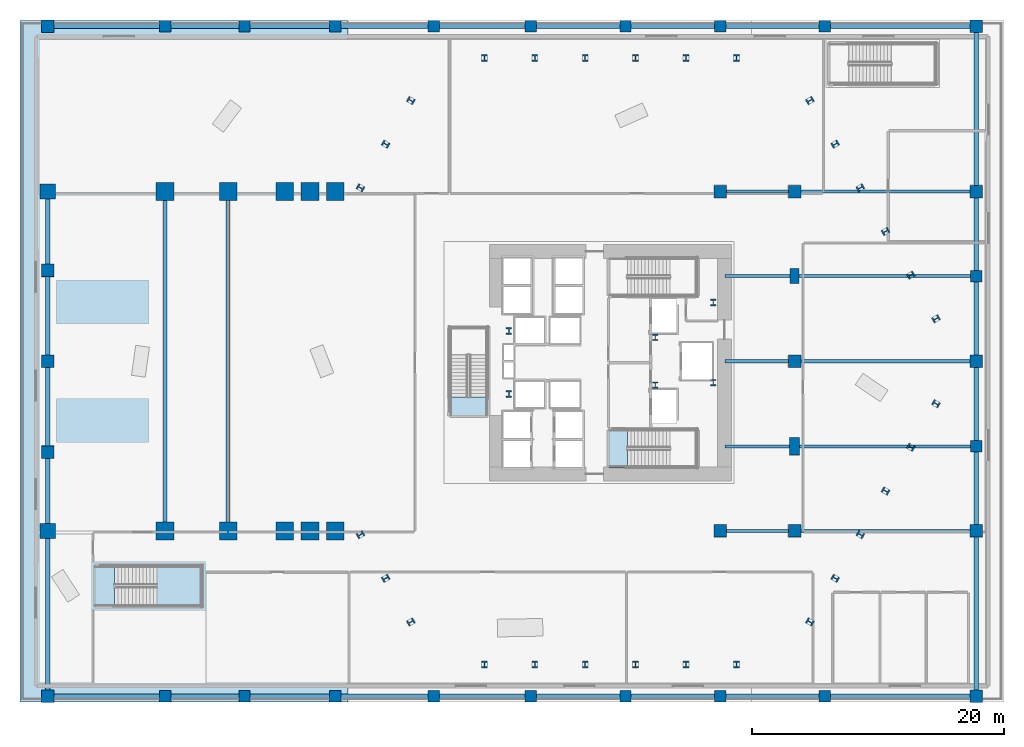
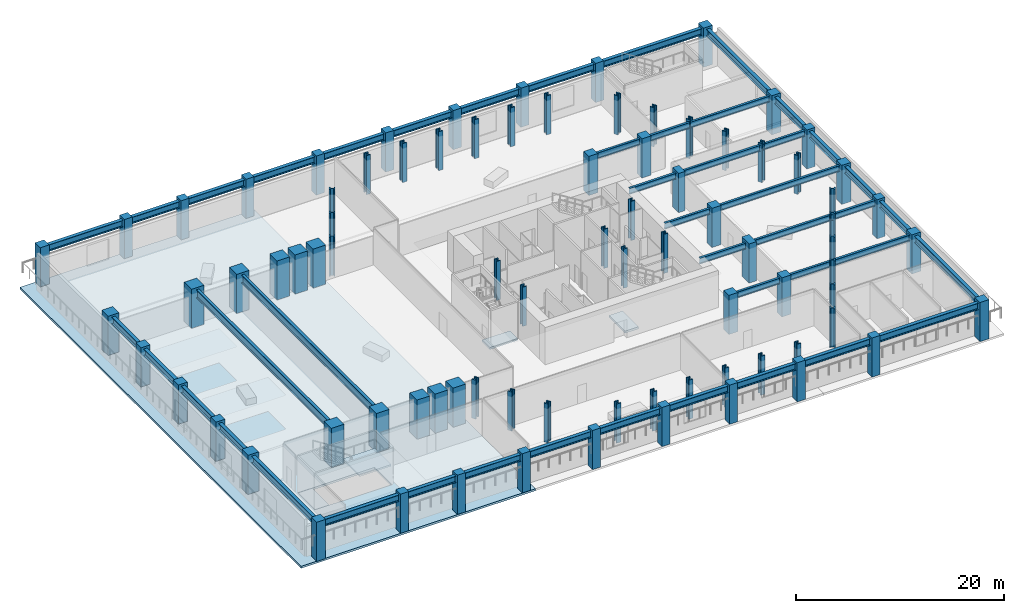
# One storey, part 1 of 18: 83 columns, 20 beams, 5 slabs, 1 element without a shape of its own.
"""IFC4 building model written with IfcOpenShell, lengths in metres."""

from ifc_helpers import new_model, si_unit, direction, frame, origin, origin_2d, place, context, subcontext, project, spatial, polyline, rectangle, i_section, outline, extrude, material, layer, layer_set, material_profile, profile_set, type_object, element, aggregate, save


model = new_model("IFC4")

# Units and contexts
model_context = context("Model", 3, precision=1e-05, world=origin(), true_north=direction((0.0, 1.0)))
body_context = subcontext(model_context, "Body", "Model", "MODEL_VIEW")
ifc_project = project(units=[si_unit("LENGTHUNIT", "METRE"), si_unit("AREAUNIT", "SQUARE_METRE"), si_unit("VOLUMEUNIT", "CUBIC_METRE"), si_unit("PLANEANGLEUNIT", "RADIAN"), si_unit("MASSUNIT", "GRAM", prefix="KILO")], contexts=[model_context])

# Site, building, storey
site_placement = place(None, origin())
site = spatial("IfcSite", under=ifc_project, at=site_placement, CompositionType="ELEMENT")
building_placement = place(site_placement, origin())
building = spatial("IfcBuilding", under=site, at=building_placement, Name="Valkerne Bourse Tower", CompositionType="ELEMENT")
storey_placement = place(building_placement, frame((0.0, 0.0, 10.199951171875)))
storey = spatial("IfcBuildingStorey", under=building, at=storey_placement, Name="L02", CompositionType="ELEMENT", Elevation=10.199951171875)

# Columns
ifc_material_1 = material(Name="Concrete C70/85", Category="concrete")
ifc_material_profile_1 = material_profile(ifc_material_1, rectangle(XDim=1.0, YDim=1.0, at=origin_2d()), Name="RC1000X1000")
ifc_profile_set_1 = profile_set([ifc_material_profile_1], Name="Concrete C70/85")
column_type_1 = type_object("IfcColumnType", Name="COL-RC1000X1000", PredefinedType="COLUMN", material=ifc_profile_set_1)
for number, where, z_axis, x_axis, name in (
    (1, (2.199951171875, 0.449951171875, 0.005126953125), (0.0, 0.0, 1.0), (1.0, 0.0, 0.0), "L02 Podium Column PW-1"),
    (2, (2.199951171875, 19.800048828125, 0.005126953125), (0.0, 0.0, 1.0), (1.0, 0.0, 0.0), "L02 Podium Column PW-3"),
    (3, (2.199951171875, 27.0, 0.005126953125), (0.0, 0.0, 1.0), (1.0, 0.0, 0.0), "L02 Podium Column PW-4"),
    (4, (2.199951171875, 34.199951171875, 0.005126953125), (0.0, 0.0, 1.0), (1.0, 0.0, 0.0), "L02 Podium Column PW-5"),
    (5, (2.199951171875, 53.550048828125, 0.005126953125), (0.0, 0.0, 1.0), (1.0, 0.0, 0.0), "L02 Podium Column PW-7"),
    (6, (75.800048828125, 0.449951171875, 0.005126953125), (0.0, 0.0, 1.0), (1.0, 0.0, 0.0), "L02 Podium Column PS-9"),
    (7, (75.800048828125, 53.550048828125, 0.005126953125), (0.0, 0.0, 1.0), (1.0, 0.0, 0.0), "L02 Podium Column PN-9"),
    (8, (75.800048828125, 13.550048828125, 0.005126953125), (0.0, 0.0, 1.0), (1.0, 0.0, 0.0), "L02 Podium Column PE-1"),
    (9, (75.800048828125, 27.0, 0.005126953125), (0.0, 0.0, 1.0), (1.0, 0.0, 0.0), "L02 Podium Column PE-3"),
    (10, (75.800048828125, 40.449951171875, 0.005126953125), (0.0, 0.0, 1.0), (1.0, 0.0, 0.0), "L02 Podium Column PE-5"),
    (11, (55.5, 13.550048828125, 0.005126953125), (0.0, 0.0, 1.0), (1.0, 0.0, 0.0), "L02 Podium Column PI-C1"),
    (12, (55.5, 40.449951171875, 0.005126953125), (0.0, 0.0, 1.0), (1.0, 0.0, 0.0), "L02 Podium Column PI-C2"),
    (13, (61.39990234375, 13.550048828125, 0.005126953125), (0.0, 0.0, 1.0), (1.0, 0.0, 0.0), "L02 Podium Column PI-E1"),
    (14, (61.39990234375, 27.0, 0.005126953125), (0.0, 0.0, 1.0), (1.0, 0.0, 0.0), "L02 Podium Column PI-E3"),
    (15, (61.39990234375, 40.449951171875, 0.005126953125), (0.0, 0.0, 1.0), (1.0, 0.0, 0.0), "L02 Podium Column PI-E5"),
):
    element("IfcColumn", number, at=place(storey_placement, frame(where, z_axis=z_axis, x_axis=x_axis)), inside=storey, type_object=column_type_1, Name=name, PredefinedType="COLUMN", context=body_context, shape_type="SweptSolid", body=[
        extrude(rectangle(XDim=1.0, YDim=1.0, at=origin_2d()), origin(), (0.0, 0.0, 1.0), 4.594970703125),
    ])
ifc_material_profile_2 = material_profile(ifc_material_1, rectangle(XDim=1.199951171875, YDim=1.199951171875, at=origin_2d()), Name="RC1200X1200")
ifc_profile_set_2 = profile_set([ifc_material_profile_2], Name="Concrete C70/85")
column_type_2 = type_object("IfcColumnType", Name="COL-RC1200X1200", PredefinedType="COLUMN", material=ifc_profile_set_2)
for number, where, z_axis, x_axis, name in (
    (16, (2.199951171875, 13.550048828125, 0.005126953125), (0.0, 0.0, 1.0), (1.0, 0.0, 0.0), "L02 Podium Column PW-2"),
    (17, (2.199951171875, 40.449951171875, 0.005126953125), (0.0, 0.0, 1.0), (1.0, 0.0, 0.0), "L02 Podium Column PW-6"),
):
    element("IfcColumn", number, at=place(storey_placement, frame(where, z_axis=z_axis, x_axis=x_axis)), inside=storey, type_object=column_type_2, Name=name, PredefinedType="COLUMN", context=body_context, shape_type="SweptSolid", body=[
        extrude(rectangle(XDim=1.199951171875, YDim=1.199951171875, at=origin_2d()), origin(), (0.0, 0.0, 1.0), 4.594970703125),
    ])
ifc_material_profile_3 = material_profile(ifc_material_1, rectangle(XDim=1.39990234375, YDim=1.39990234375, at=origin_2d()), Name="RC1400X1400")
ifc_profile_set_3 = profile_set([ifc_material_profile_3], Name="Concrete C70/85")
column_type_3 = type_object("IfcColumnType", Name="COL-RC1400X1400", PredefinedType="COLUMN", material=ifc_profile_set_3)
for number, where, z_axis, x_axis, name in (
    (18, (11.5, 13.550048828125, 0.005126953125), (0.0, 0.0, 1.0), (1.0, 0.0, 0.0), "L02 Podium Column MC-S1"),
    (19, (11.5, 40.449951171875, 0.005126953125), (0.0, 0.0, 1.0), (1.0, 0.0, 0.0), "L02 Podium Column MC-N1"),
    (20, (16.5, 13.550048828125, 0.005126953125), (0.0, 0.0, 1.0), (1.0, 0.0, 0.0), "L02 Podium Column MC-S2"),
    (21, (16.5, 40.449951171875, 0.005126953125), (0.0, 0.0, 1.0), (1.0, 0.0, 0.0), "L02 Podium Column MC-N2"),
    (22, (20.991943359375, 13.550048828125, 0.005126953125), (0.0, 0.0, 1.0), (1.0, 0.0, 0.0), "L02 Podium Column MCH-S1"),
    (23, (20.991943359375, 40.449951171875, 0.005126953125), (0.0, 0.0, 1.0), (1.0, 0.0, 0.0), "L02 Podium Column MCH-N1"),
    (24, (22.990966796875, 13.550048828125, 0.005126953125), (0.0, 0.0, 1.0), (1.0, 0.0, 0.0), "L02 Podium Column MCH-S2"),
    (25, (22.990966796875, 40.449951171875, 0.005126953125), (0.0, 0.0, 1.0), (1.0, 0.0, 0.0), "L02 Podium Column MCH-N2"),
    (26, (24.988037109375, 13.550048828125, 0.005126953125), (0.0, 0.0, 1.0), (1.0, 0.0, 0.0), "L02 Podium Column MCH-S3"),
    (27, (24.988037109375, 40.449951171875, 0.005126953125), (0.0, 0.0, 1.0), (1.0, 0.0, 0.0), "L02 Podium Column MCH-N3"),
):
    element("IfcColumn", number, at=place(storey_placement, frame(where, z_axis=z_axis, x_axis=x_axis)), inside=storey, type_object=column_type_3, Name=name, PredefinedType="COLUMN", context=body_context, shape_type="SweptSolid", body=[
        extrude(rectangle(XDim=1.39990234375, YDim=1.39990234375, at=origin_2d()), origin(), (0.0, 0.0, 1.0), 4.594970703125),
    ])
ifc_material_profile_4 = material_profile(ifc_material_1, rectangle(XDim=0.699951171875, YDim=1.199951171875, at=origin_2d()), Name="RC700X1200")
ifc_profile_set_4 = profile_set([ifc_material_profile_4], Name="Concrete C70/85")
column_type_4 = type_object("IfcColumnType", Name="COL-RC700X1200", PredefinedType="COLUMN", material=ifc_profile_set_4)
column_1_placement = place(storey_placement, frame((61.39990234375, 33.75, 0.005126953125), z_axis=(0.0, 0.0, 1.0), x_axis=(1.0, 0.0, 0.0)))
element("IfcColumn", 28, at=column_1_placement, inside=storey, type_object=column_type_4, Name="L02 Podium Column PI-E4", PredefinedType="COLUMN", context=body_context, shape_type="SweptSolid", body=[
    extrude(rectangle(XDim=0.699951171875, YDim=1.199951171875, at=origin_2d()), origin(), (0.0, 0.0, 1.0), 4.594970703125),
])
ifc_material_profile_5 = material_profile(ifc_material_1, rectangle(XDim=0.800048828125, YDim=1.39990234375, at=origin_2d()), Name="RC800X1400")
ifc_profile_set_5 = profile_set([ifc_material_profile_5], Name="Concrete C70/85")
column_type_5 = type_object("IfcColumnType", Name="COL-RC800X1400", PredefinedType="COLUMN", material=ifc_profile_set_5)
column_2_placement = place(storey_placement, frame((61.39990234375, 20.25, 0.005126953125), z_axis=(0.0, 0.0, 1.0), x_axis=(1.0, 0.0, 0.0)))
element("IfcColumn", 29, at=column_2_placement, inside=storey, type_object=column_type_5, Name="L02 Podium Column PI-E2", PredefinedType="COLUMN", context=body_context, shape_type="SweptSolid", body=[
    extrude(rectangle(XDim=0.800048828125, YDim=1.39990234375, at=origin_2d()), origin(), (0.0, 0.0, 1.0), 4.594970703125),
])
ifc_material_profile_6 = material_profile(ifc_material_1, rectangle(XDim=0.89990234375, YDim=0.89990234375, at=origin_2d()), Name="RC900X900")
ifc_profile_set_6 = profile_set([ifc_material_profile_6], Name="Concrete C70/85")
column_type_6 = type_object("IfcColumnType", Name="COL-RC900X900", PredefinedType="COLUMN", material=ifc_profile_set_6)
for number, where, z_axis, x_axis, name in (
    (30, (11.5, 0.449951171875, 0.005126953125), (0.0, 0.0, 1.0), (1.0, 0.0, 0.0), "L02 Podium Column PS-1"),
    (31, (17.800048828125, 0.449951171875, 0.005126953125), (0.0, 0.0, 1.0), (1.0, 0.0, 0.0), "L02 Podium Column PS-2"),
    (32, (25.0, 0.449951171875, 0.005126953125), (0.0, 0.0, 1.0), (1.0, 0.0, 0.0), "L02 Podium Column PS-3"),
    (33, (32.800048828125, 0.449951171875, 0.005126953125), (0.0, 0.0, 1.0), (1.0, 0.0, 0.0), "L02 Podium Column PS-4"),
    (34, (40.5, 0.449951171875, 0.005126953125), (0.0, 0.0, 1.0), (1.0, 0.0, 0.0), "L02 Podium Column PS-5"),
    (35, (48.0, 0.449951171875, 0.005126953125), (0.0, 0.0, 1.0), (1.0, 0.0, 0.0), "L02 Podium Column PS-6"),
    (36, (55.5, 0.449951171875, 0.005126953125), (0.0, 0.0, 1.0), (1.0, 0.0, 0.0), "L02 Podium Column PS-7"),
    (37, (63.800048828125, 0.449951171875, 0.005126953125), (0.0, 0.0, 1.0), (1.0, 0.0, 0.0), "L02 Podium Column PS-8"),
    (38, (11.5, 53.550048828125, 0.005126953125), (0.0, 0.0, 1.0), (1.0, 0.0, 0.0), "L02 Podium Column PN-1"),
    (39, (17.800048828125, 53.550048828125, 0.005126953125), (0.0, 0.0, 1.0), (1.0, 0.0, 0.0), "L02 Podium Column PN-2"),
    (40, (25.0, 53.550048828125, 0.005126953125), (0.0, 0.0, 1.0), (1.0, 0.0, 0.0), "L02 Podium Column PN-3"),
    (41, (32.800048828125, 53.550048828125, 0.005126953125), (0.0, 0.0, 1.0), (1.0, 0.0, 0.0), "L02 Podium Column PN-4"),
    (42, (40.5, 53.550048828125, 0.005126953125), (0.0, 0.0, 1.0), (1.0, 0.0, 0.0), "L02 Podium Column PN-5"),
    (43, (48.0, 53.550048828125, 0.005126953125), (0.0, 0.0, 1.0), (1.0, 0.0, 0.0), "L02 Podium Column PN-6"),
    (44, (55.5, 53.550048828125, 0.005126953125), (0.0, 0.0, 1.0), (1.0, 0.0, 0.0), "L02 Podium Column PN-7"),
    (45, (63.800048828125, 53.550048828125, 0.005126953125), (0.0, 0.0, 1.0), (1.0, 0.0, 0.0), "L02 Podium Column PN-8"),
    (46, (75.800048828125, 20.25, 0.005126953125), (0.0, 0.0, 1.0), (1.0, 0.0, 0.0), "L02 Podium Column PE-2"),
    (47, (75.800048828125, 33.75, 0.005126953125), (0.0, 0.0, 1.0), (1.0, 0.0, 0.0), "L02 Podium Column PE-4"),
):
    element("IfcColumn", number, at=place(storey_placement, frame(where, z_axis=z_axis, x_axis=x_axis)), inside=storey, type_object=column_type_6, Name=name, PredefinedType="COLUMN", context=body_context, shape_type="SweptSolid", body=[
        extrude(rectangle(XDim=0.89990234375, YDim=0.89990234375, at=origin_2d()), origin(), (0.0, 0.0, 1.0), 4.594970703125),
    ])
ifc_material_2 = material(Name="Steel ASTM A913 Grade 65", Category="steel")
ifc_material_profile_7 = material_profile(ifc_material_2, i_section(OverallWidth=0.44189453125, OverallDepth=0.531005859375, WebThickness=0.06591796875, FlangeThickness=0.105712890625, FilletRadius=0.030517578125, at=origin_2d()), Name="W14X605")
ifc_profile_set_7 = profile_set([ifc_material_profile_7], Name="Steel ASTM A913 Grade 65")
column_type_7 = type_object("IfcColumnType", Name="COL-W14X605", PredefinedType="COLUMN", material=ifc_profile_set_7)
for number, where, z_axis, x_axis, name in (
    (48, (38.75, 24.39990234375, 0.005126953125), (0.0, 0.0, 1.0), (1.0, 0.0, 0.0), "L02 Core Frame Column CC-SW"),
    (49, (38.75, 29.39990234375, 0.005126953125), (0.0, 0.0, 1.0), (1.0, 0.0, 0.0), "L02 Core Frame Column CC-NW"),
    (50, (50.35009765625, 25.10009765625, 0.005126953125), (0.0, 0.0, 1.0), (1.0, 0.0, 0.0), "L02 Core Frame Column CC-CE1"),
    (51, (50.35009765625, 28.89990234375, 0.005126953125), (0.0, 0.0, 1.0), (1.0, 0.0, 0.0), "L02 Core Frame Column CC-CE2"),
    (52, (54.949951171875, 25.300048828125, 0.005126953125), (0.0, 0.0, 1.0), (1.0, 0.0, 0.0), "L02 Core Frame Column CC-SE"),
    (53, (54.949951171875, 31.64990234375, 0.005126953125), (0.0, 0.0, 1.0), (1.0, 0.0, 0.0), "L02 Core Frame Column CC-NE"),
):
    element("IfcColumn", number, at=place(storey_placement, frame(where, z_axis=z_axis, x_axis=x_axis)), inside=storey, type_object=column_type_7, Name=name, PredefinedType="COLUMN", context=body_context, shape_type="SweptSolid", body=[
        extrude(i_section(OverallWidth=0.44189453125, OverallDepth=0.531005859375, WebThickness=0.06591796875, FlangeThickness=0.105712890625, FilletRadius=0.030517578125, at=origin_2d()), origin(), (0.0, 0.0, 1.0), 4.594970703125),
    ])
ifc_material_profile_8 = material_profile(ifc_material_2, i_section(OverallWidth=0.45458984375, OverallDepth=0.569091796875, WebThickness=0.077880859375, FlangeThickness=0.124755859375, FilletRadius=0.030517578125, at=origin_2d()), Name="W14X730")
ifc_profile_set_8 = profile_set([ifc_material_profile_8], Name="Steel ASTM A913 Grade 65")
column_type_8 = type_object("IfcColumnType", Name="COL-W14X730", PredefinedType="COLUMN", material=ifc_profile_set_8)
for number, where, z_axis, x_axis, name in (
    (54, (72.607421875, 30.364501953125, 0.005126953125), (0.0, 0.0, 1.0), (-0.5, 0.866025403784, 0.0), "L02 Tower Base Mega-Column Z1B-00"),
    (55, (70.609619140625, 33.8251953125, 0.005126953125), (0.0, 0.0, 1.0), (-0.5, 0.866025403784, 0.0), "L02 Tower Base Mega-Column Z1B-01"),
    (56, (68.611572265625, 37.285888671875, 0.005126953125), (0.0, 0.0, 1.0), (-0.5, 0.866025403784, 0.0), "L02 Tower Base Mega-Column Z1B-02"),
    (57, (66.613525390625, 40.746337890625, 0.005126953125), (0.0, 0.0, 1.0), (-0.5, 0.866025403784, 0.0), "L02 Tower Base Mega-Column Z1B-03"),
    (58, (64.615478515625, 44.20703125, 0.005126953125), (0.0, 0.0, 1.0), (-0.5, 0.866025403784, 0.0), "L02 Tower Base Mega-Column Z1B-04"),
    (59, (62.617431640625, 47.667724609375, 0.005126953125), (0.0, 0.0, 1.0), (-0.5, 0.866025403784, 0.0), "L02 Tower Base Mega-Column Z1B-05"),
    (60, (56.7900390625, 51.0322265625, 0.005126953125), (0.0, 0.0, 1.0), (-1.0, 0.0, 0.0), "L02 Tower Base Mega-Column Z1B-06"),
    (61, (52.7939453125, 51.0322265625, 0.005126953125), (0.0, 0.0, 1.0), (-1.0, 0.0, 0.0), "L02 Tower Base Mega-Column Z1B-07"),
    (62, (48.798095703125, 51.0322265625, 0.005126953125), (0.0, 0.0, 1.0), (-1.0, 0.0, 0.0), "L02 Tower Base Mega-Column Z1B-08"),
    (63, (44.802001953125, 51.0322265625, 0.005126953125), (0.0, 0.0, 1.0), (-1.0, 0.0, 0.0), "L02 Tower Base Mega-Column Z1B-09"),
    (64, (40.805908203125, 51.0322265625, 0.005126953125), (0.0, 0.0, 1.0), (-1.0, 0.0, 0.0), "L02 Tower Base Mega-Column Z1B-10"),
    (65, (36.81005859375, 51.0322265625, 0.005126953125), (0.0, 0.0, 1.0), (-1.0, 0.0, 0.0), "L02 Tower Base Mega-Column Z1B-11"),
    (66, (30.982421875, 47.667724609375, 0.005126953125), (0.0, 0.0, 1.0), (-0.5, -0.866025403784, 0.0), "L02 Tower Base Mega-Column Z1B-12"),
    (67, (28.984619140625, 44.20703125, 0.005126953125), (0.0, 0.0, 1.0), (-0.5, -0.866025403784, 0.0), "L02 Tower Base Mega-Column Z1B-13"),
    (68, (26.986572265625, 40.746337890625, 0.005126953125), (0.0, 0.0, 1.0), (-0.5, -0.866025403784, 0.0), "L02 Tower Base Mega-Column Z1B-14"),
    (69, (26.986572265625, 13.253662109375, 0.005126953125), (0.0, 0.0, 1.0), (0.5, -0.866025403784, 0.0), "L02 Tower Base Mega-Column Z1B-21"),
    (70, (36.81005859375, 2.9677734375, 0.005126953125), (0.0, 0.0, 1.0), (1.0, 0.0, 0.0), "L02 Tower Base Mega-Column Z1B-24"),
    (71, (40.805908203125, 2.9677734375, 0.005126953125), (0.0, 0.0, 1.0), (1.0, 0.0, 0.0), "L02 Tower Base Mega-Column Z1B-25"),
    (72, (44.802001953125, 2.9677734375, 0.005126953125), (0.0, 0.0, 1.0), (1.0, 0.0, 0.0), "L02 Tower Base Mega-Column Z1B-26"),
    (73, (48.798095703125, 2.9677734375, 0.005126953125), (0.0, 0.0, 1.0), (1.0, 0.0, 0.0), "L02 Tower Base Mega-Column Z1B-27"),
    (74, (52.7939453125, 2.9677734375, 0.005126953125), (0.0, 0.0, 1.0), (1.0, 0.0, 0.0), "L02 Tower Base Mega-Column Z1B-28"),
    (75, (56.7900390625, 2.9677734375, 0.005126953125), (0.0, 0.0, 1.0), (1.0, 0.0, 0.0), "L02 Tower Base Mega-Column Z1B-29"),
    (76, (66.613525390625, 13.253662109375, 0.005126953125), (0.0, 0.0, 1.0), (0.5, 0.866025403784, 0.0), "L02 Tower Base Mega-Column Z1B-32"),
    (77, (68.611572265625, 16.714111328125, 0.005126953125), (0.0, 0.0, 1.0), (0.5, 0.866025403784, 0.0), "L02 Tower Base Mega-Column Z1B-33"),
    (78, (70.609619140625, 20.1748046875, 0.005126953125), (0.0, 0.0, 1.0), (0.5, 0.866025403784, 0.0), "L02 Tower Base Mega-Column Z1B-34"),
    (79, (72.607421875, 23.635498046875, 0.005126953125), (0.0, 0.0, 1.0), (0.5, 0.866025403784, 0.0), "L02 Tower Base Mega-Column Z1B-35"),
    (80, (28.984619140625, 9.79296875, 0.005126953125), (0.0, 0.0, 1.0), (0.5, -0.866025403784, 0.0), "L02 Tower Base Mega-Column Z1B-22"),
    (81, (30.982421875, 6.332275390625, 0.005126953125), (0.0, 0.0, 1.0), (0.5, -0.866025403784, 0.0), "L02 Tower Base Mega-Column Z1B-23"),
    (82, (62.617431640625, 6.332275390625, 0.005126953125), (0.0, 0.0, 1.0), (0.5, 0.866025403784, 0.0), "L02 Tower Base Mega-Column Z1B-30"),
    (83, (64.615478515625, 9.79296875, 0.005126953125), (0.0, 0.0, 1.0), (0.5, 0.866025403784, 0.0), "L02 Tower Base Mega-Column Z1B-31"),
):
    element("IfcColumn", number, at=place(storey_placement, frame(where, z_axis=z_axis, x_axis=x_axis)), inside=storey, type_object=column_type_8, Name=name, PredefinedType="COLUMN", context=body_context, shape_type="SweptSolid", body=[
        extrude(i_section(OverallWidth=0.45458984375, OverallDepth=0.569091796875, WebThickness=0.077880859375, FlangeThickness=0.124755859375, FilletRadius=0.030517578125, at=origin_2d()), origin(), (0.0, 0.0, 1.0), 4.58984375),
    ])

# Beams
ifc_material_3 = material(Name="Steel ASTM A992", Category="steel")
ifc_material_profile_9 = material_profile(ifc_material_3, i_section(OverallWidth=0.255859375, OverallDepth=0.693359375, WebThickness=0.014404296875, FlangeThickness=0.023681640625, FilletRadius=0.02294921875, at=origin_2d()), Name="W27X114")
ifc_profile_set_9 = profile_set([ifc_material_profile_9], Name="Steel ASTM A992")
beam_type_1 = type_object("IfcBeamType", Name="BM-W27X114", PredefinedType="BEAM", material=ifc_profile_set_9)
beam_1_placement = place(storey_placement, frame((55.5, 13.550048828125, 4.013427734375), z_axis=(1.0, 0.0, 0.0), x_axis=(0.0, 1.0, 0.0)))
element("IfcBeam", 84, at=beam_1_placement, inside=storey, type_object=beam_type_1, Name="L02 East Wing Floor Girder 1 Y13", PredefinedType="BEAM", context=body_context, shape_type="SweptSolid", body=[
    extrude(i_section(OverallWidth=0.255859375, OverallDepth=0.693359375, WebThickness=0.014404296875, FlangeThickness=0.023681640625, FilletRadius=0.02294921875, at=origin_2d()), origin(), (0.0, 0.0, 1.0), 5.89990234375),
])
beam_2_placement = place(storey_placement, frame((61.39990234375, 13.550048828125, 4.013427734375), z_axis=(1.0, 0.0, 0.0), x_axis=(0.0, 1.0, 0.0)))
element("IfcBeam", 85, at=beam_2_placement, inside=storey, type_object=beam_type_1, Name="L02 East Wing Floor Girder 2 Y13", PredefinedType="BEAM", context=body_context, shape_type="SweptSolid", body=[
    extrude(i_section(OverallWidth=0.255859375, OverallDepth=0.693359375, WebThickness=0.014404296875, FlangeThickness=0.023681640625, FilletRadius=0.02294921875, at=origin_2d()), origin(), (0.0, 0.0, 1.0), 14.400146484375),
])
beam_3_placement = place(storey_placement, frame((55.89990234375, 20.25, 4.013427734375), z_axis=(1.0, 0.0, 0.0), x_axis=(0.0, 1.0, 0.0)))
element("IfcBeam", 86, at=beam_3_placement, inside=storey, type_object=beam_type_1, Name="L02 East Wing Floor Girder 1 Y20", PredefinedType="BEAM", context=body_context, shape_type="SweptSolid", body=[
    extrude(i_section(OverallWidth=0.255859375, OverallDepth=0.693359375, WebThickness=0.014404296875, FlangeThickness=0.023681640625, FilletRadius=0.02294921875, at=origin_2d()), origin(), (0.0, 0.0, 1.0), 5.5),
])
beam_4_placement = place(storey_placement, frame((61.39990234375, 20.25, 4.013427734375), z_axis=(1.0, 0.0, 0.0), x_axis=(0.0, 1.0, 0.0)))
element("IfcBeam", 87, at=beam_4_placement, inside=storey, type_object=beam_type_1, Name="L02 East Wing Floor Girder 2 Y20", PredefinedType="BEAM", context=body_context, shape_type="SweptSolid", body=[
    extrude(i_section(OverallWidth=0.255859375, OverallDepth=0.693359375, WebThickness=0.014404296875, FlangeThickness=0.023681640625, FilletRadius=0.02294921875, at=origin_2d()), origin(), (0.0, 0.0, 1.0), 14.400146484375),
])
beam_5_placement = place(storey_placement, frame((55.89990234375, 27.0, 4.013427734375), z_axis=(1.0, 0.0, 0.0), x_axis=(0.0, 1.0, 0.0)))
element("IfcBeam", 88, at=beam_5_placement, inside=storey, type_object=beam_type_1, Name="L02 East Wing Floor Girder 1 Y27", PredefinedType="BEAM", context=body_context, shape_type="SweptSolid", body=[
    extrude(i_section(OverallWidth=0.255859375, OverallDepth=0.693359375, WebThickness=0.014404296875, FlangeThickness=0.023681640625, FilletRadius=0.02294921875, at=origin_2d()), origin(), (0.0, 0.0, 1.0), 5.5),
])
beam_6_placement = place(storey_placement, frame((61.39990234375, 27.0, 4.013427734375), z_axis=(1.0, 0.0, 0.0), x_axis=(0.0, 1.0, 0.0)))
element("IfcBeam", 89, at=beam_6_placement, inside=storey, type_object=beam_type_1, Name="L02 East Wing Floor Girder 2 Y27", PredefinedType="BEAM", context=body_context, shape_type="SweptSolid", body=[
    extrude(i_section(OverallWidth=0.255859375, OverallDepth=0.693359375, WebThickness=0.014404296875, FlangeThickness=0.023681640625, FilletRadius=0.02294921875, at=origin_2d()), origin(), (0.0, 0.0, 1.0), 14.400146484375),
])
beam_7_placement = place(storey_placement, frame((55.89990234375, 33.75, 4.013427734375), z_axis=(1.0, 0.0, 0.0), x_axis=(0.0, 1.0, 0.0)))
element("IfcBeam", 90, at=beam_7_placement, inside=storey, type_object=beam_type_1, Name="L02 East Wing Floor Girder 1 Y33", PredefinedType="BEAM", context=body_context, shape_type="SweptSolid", body=[
    extrude(i_section(OverallWidth=0.255859375, OverallDepth=0.693359375, WebThickness=0.014404296875, FlangeThickness=0.023681640625, FilletRadius=0.02294921875, at=origin_2d()), origin(), (0.0, 0.0, 1.0), 5.5),
])
beam_8_placement = place(storey_placement, frame((61.39990234375, 33.75, 4.013427734375), z_axis=(1.0, 0.0, 0.0), x_axis=(0.0, 1.0, 0.0)))
element("IfcBeam", 91, at=beam_8_placement, inside=storey, type_object=beam_type_1, Name="L02 East Wing Floor Girder 2 Y33", PredefinedType="BEAM", context=body_context, shape_type="SweptSolid", body=[
    extrude(i_section(OverallWidth=0.255859375, OverallDepth=0.693359375, WebThickness=0.014404296875, FlangeThickness=0.023681640625, FilletRadius=0.02294921875, at=origin_2d()), origin(), (0.0, 0.0, 1.0), 14.400146484375),
])
beam_9_placement = place(storey_placement, frame((55.5, 40.449951171875, 4.013427734375), z_axis=(1.0, 0.0, 0.0), x_axis=(0.0, 1.0, 0.0)))
element("IfcBeam", 92, at=beam_9_placement, inside=storey, type_object=beam_type_1, Name="L02 East Wing Floor Girder 1 Y40", PredefinedType="BEAM", context=body_context, shape_type="SweptSolid", body=[
    extrude(i_section(OverallWidth=0.255859375, OverallDepth=0.693359375, WebThickness=0.014404296875, FlangeThickness=0.023681640625, FilletRadius=0.02294921875, at=origin_2d()), origin(), (0.0, 0.0, 1.0), 5.89990234375),
])
beam_10_placement = place(storey_placement, frame((61.39990234375, 40.449951171875, 4.013427734375), z_axis=(1.0, 0.0, 0.0), x_axis=(0.0, 1.0, 0.0)))
element("IfcBeam", 93, at=beam_10_placement, inside=storey, type_object=beam_type_1, Name="L02 East Wing Floor Girder 2 Y40", PredefinedType="BEAM", context=body_context, shape_type="SweptSolid", body=[
    extrude(i_section(OverallWidth=0.255859375, OverallDepth=0.693359375, WebThickness=0.014404296875, FlangeThickness=0.023681640625, FilletRadius=0.02294921875, at=origin_2d()), origin(), (0.0, 0.0, 1.0), 14.400146484375),
])
ifc_material_profile_10 = material_profile(ifc_material_3, i_section(OverallWidth=0.383544921875, OverallDepth=0.784912109375, WebThickness=0.019775390625, FlangeThickness=0.033447265625, FilletRadius=0.025390625, at=origin_2d()), Name="W30X211")
ifc_profile_set_10 = profile_set([ifc_material_profile_10], Name="Steel ASTM A992")
beam_type_2 = type_object("IfcBeamType", Name="BM-W30X211", PredefinedType="SPANDREL", material=ifc_profile_set_10)
beam_11_placement = place(storey_placement, frame((2.199951171875, 0.449951171875, 3.967529296875), z_axis=(1.0, 0.0, 0.0), x_axis=(0.0, 1.0, 0.0)))
element("IfcBeam", 94, at=beam_11_placement, inside=storey, type_object=beam_type_2, Name="L02 Podium Spandrel Girder S1", PredefinedType="SPANDREL", context=body_context, shape_type="SweptSolid", body=[
    extrude(i_section(OverallWidth=0.383544921875, OverallDepth=0.784912109375, WebThickness=0.019775390625, FlangeThickness=0.033447265625, FilletRadius=0.025390625, at=origin_2d()), origin(), (0.0, 0.0, 1.0), 22.800048828125),
])
beam_12_placement = place(storey_placement, frame((25.0, 0.449951171875, 3.967529296875), z_axis=(1.0, 0.0, 0.0), x_axis=(0.0, 1.0, 0.0)))
element("IfcBeam", 95, at=beam_12_placement, inside=storey, type_object=beam_type_2, Name="L02 Podium Spandrel Girder S2", PredefinedType="SPANDREL", context=body_context, shape_type="SweptSolid", body=[
    extrude(i_section(OverallWidth=0.383544921875, OverallDepth=0.784912109375, WebThickness=0.019775390625, FlangeThickness=0.033447265625, FilletRadius=0.025390625, at=origin_2d()), origin(), (0.0, 0.0, 1.0), 23.0),
])
beam_13_placement = place(storey_placement, frame((48.0, 0.449951171875, 3.967529296875), z_axis=(1.0, 0.0, 0.0), x_axis=(0.0, 1.0, 0.0)))
element("IfcBeam", 96, at=beam_13_placement, inside=storey, type_object=beam_type_2, Name="L02 Podium Spandrel Girder S3", PredefinedType="SPANDREL", context=body_context, shape_type="SweptSolid", body=[
    extrude(i_section(OverallWidth=0.383544921875, OverallDepth=0.784912109375, WebThickness=0.019775390625, FlangeThickness=0.033447265625, FilletRadius=0.025390625, at=origin_2d()), origin(), (0.0, 0.0, 1.0), 27.800048828125),
])
beam_14_placement = place(storey_placement, frame((2.199951171875, 53.550048828125, 3.967529296875), z_axis=(1.0, 0.0, 0.0), x_axis=(0.0, 1.0, 0.0)))
element("IfcBeam", 97, at=beam_14_placement, inside=storey, type_object=beam_type_2, Name="L02 Podium Spandrel Girder N1", PredefinedType="SPANDREL", context=body_context, shape_type="SweptSolid", body=[
    extrude(i_section(OverallWidth=0.383544921875, OverallDepth=0.784912109375, WebThickness=0.019775390625, FlangeThickness=0.033447265625, FilletRadius=0.025390625, at=origin_2d()), origin(), (0.0, 0.0, 1.0), 38.300048828125),
])
beam_15_placement = place(storey_placement, frame((40.5, 53.550048828125, 3.967529296875), z_axis=(1.0, 0.0, 0.0), x_axis=(0.0, 1.0, 0.0)))
element("IfcBeam", 98, at=beam_15_placement, inside=storey, type_object=beam_type_2, Name="L02 Podium Spandrel Girder N2", PredefinedType="SPANDREL", context=body_context, shape_type="SweptSolid", body=[
    extrude(i_section(OverallWidth=0.383544921875, OverallDepth=0.784912109375, WebThickness=0.019775390625, FlangeThickness=0.033447265625, FilletRadius=0.025390625, at=origin_2d()), origin(), (0.0, 0.0, 1.0), 35.300048828125),
])
for number, where, z_axis, x_axis, name in (
    (99, (75.800048828125, 0.449951171875, 3.967529296875), (0.0, 1.0, 0.0), (-1.0, 0.0, 0.0), "L02 Podium Spandrel Girder E1"),
    (100, (75.800048828125, 27.0, 3.967529296875), (0.0, 1.0, 0.0), (-1.0, 0.0, 0.0), "L02 Podium Spandrel Girder E2"),
):
    element("IfcBeam", number, at=place(storey_placement, frame(where, z_axis=z_axis, x_axis=x_axis)), inside=storey, type_object=beam_type_2, Name=name, PredefinedType="SPANDREL", context=body_context, shape_type="SweptSolid", body=[
        extrude(i_section(OverallWidth=0.383544921875, OverallDepth=0.784912109375, WebThickness=0.019775390625, FlangeThickness=0.033447265625, FilletRadius=0.025390625, at=origin_2d()), origin(), (0.0, 0.0, 1.0), 26.550048828125),
    ])
beam_16_placement = place(storey_placement, frame((2.199951171875, 0.449951171875, 3.967529296875), z_axis=(0.0, 1.0, 0.0), x_axis=(-1.0, 0.0, 0.0)))
element("IfcBeam", 101, at=beam_16_placement, inside=storey, type_object=beam_type_2, Name="L02 Podium Spandrel Girder W1", PredefinedType="SPANDREL", context=body_context, shape_type="SweptSolid", body=[
    extrude(i_section(OverallWidth=0.383544921875, OverallDepth=0.784912109375, WebThickness=0.019775390625, FlangeThickness=0.033447265625, FilletRadius=0.025390625, at=origin_2d()), origin(), (0.0, 0.0, 1.0), 40.0),
])
ifc_material_profile_11 = material_profile(ifc_material_2, i_section(OverallWidth=0.310302734375, OverallDepth=0.949951171875, WebThickness=0.0244140625, FlangeThickness=0.0439453125, FilletRadius=0.02783203125, at=origin_2d()), Name="W36X256")
ifc_profile_set_11 = profile_set([ifc_material_profile_11], Name="Steel ASTM A913 Grade 65")
beam_type_3 = type_object("IfcBeamType", Name="BM-W36X256", PredefinedType="BEAM", material=ifc_profile_set_11)
for number, where, z_axis, x_axis, name in (
    (102, (11.5, 13.550048828125, 3.88525390625), (0.0, 1.0, 0.0), (-1.0, 0.0, 0.0), "L02 Clear-Span Hall/Trading Girder X11"),
    (103, (16.5, 13.550048828125, 3.88525390625), (0.0, 1.0, 0.0), (-1.0, 0.0, 0.0), "L02 Clear-Span Hall/Trading Girder X16"),
):
    element("IfcBeam", number, at=place(storey_placement, frame(where, z_axis=z_axis, x_axis=x_axis)), inside=storey, type_object=beam_type_3, Name=name, PredefinedType="BEAM", context=body_context, shape_type="SweptSolid", body=[
        extrude(i_section(OverallWidth=0.310302734375, OverallDepth=0.949951171875, WebThickness=0.0244140625, FlangeThickness=0.0439453125, FilletRadius=0.02783203125, at=origin_2d()), origin(), (0.0, 0.0, 1.0), 26.89990234375),
    ])

# Slabs
ifc_material_4 = material(Name="Concrete C40/50", Category="concrete")
ifc_layer_1 = layer(ifc_material_4, 0.239990234375)
ifc_layer_set_1 = layer_set([ifc_layer_1], Name="Concrete C40/50")
slab_type_1 = type_object("IfcSlabType", Name="SLB-POD-240", PredefinedType="FLOOR", material=ifc_layer_set_1)
slab_1_placement = place(storey_placement, frame((0.0, 0.0, -0.239990234375)))
element("IfcSlab", 104, at=slab_1_placement, inside=storey, type_object=slab_type_1, Name="L02 Podium Composite Floor Slab W", PredefinedType="FLOOR", context=body_context, shape_type="SweptSolid", body=[
    extrude(outline(polyline([(0.0, 0.0), (0.0, 54.0), (26.0, 54.0), (26.0, 0.0), (0.0, 0.0)]), holes=[polyline([(14.425048828125, 7.534912109375), (14.425048828125, 10.81494140625), (5.9150390625, 10.81494140625), (5.9150390625, 7.534912109375), (14.425048828125, 7.534912109375)])]), origin(), (0.0, 0.0, 1.0), 0.239990234375),
])
ifc_layer_2 = layer(ifc_material_4, 0.25)
ifc_layer_set_2 = layer_set([ifc_layer_2], Name="Concrete C40/50")
slab_type_2 = type_object("IfcSlabType", Name="SLB-RMP-LND-250", PredefinedType="LANDING", material=ifc_layer_set_2)
slab_2_placement = place(storey_placement, frame((0.0, 0.0, -0.239990234375)))
element("IfcSlab", 105, at=slab_2_placement, inside=storey, type_object=slab_type_2, Name="L02 ST-1 Floor Landing Slab", PredefinedType="LANDING", context=body_context, shape_type="SweptSolid", body=[
    extrude(outline(polyline([(46.669921875, 18.5400390625), (48.14990234375, 18.5400390625), (48.14990234375, 21.610107421875), (46.669921875, 21.610107421875), (46.669921875, 18.5400390625)])), origin(), (0.0, 0.0, 1.0), 0.239990234375),
])
slab_3_placement = place(storey_placement, frame((0.0, 0.0, -0.239990234375)))
element("IfcSlab", 106, at=slab_3_placement, inside=storey, type_object=slab_type_2, Name="L02 ST-3 Floor Landing Slab", PredefinedType="LANDING", context=body_context, shape_type="SweptSolid", body=[
    extrude(outline(polyline([(37.110107421875, 22.669921875), (37.110107421875, 24.14990234375), (34.0400390625, 24.14990234375), (34.0400390625, 22.669921875), (37.110107421875, 22.669921875)])), origin(), (0.0, 0.0, 1.0), 0.239990234375),
])
slab_4_placement = place(storey_placement, frame((0.0, 0.0, -0.239990234375)))
element("IfcSlab", 107, at=slab_4_placement, inside=storey, type_object=slab_type_2, Name="L02 ST-P1 Floor Landing Slab", PredefinedType="LANDING", context=body_context, shape_type="SweptSolid", body=[
    extrude(outline(polyline([(5.919921875, 7.5400390625), (7.5, 7.5400390625), (7.5, 10.81005859375), (5.919921875, 10.81005859375), (5.919921875, 7.5400390625)])), origin(), (0.0, 0.0, 1.0), 0.239990234375),
])

# Stair, slab
stair_type = type_object("IfcStairType", Name="ST-POD-1500", PredefinedType="HALF_TURN_STAIR", material=ifc_material_4)
stair_placement = place(storey_placement, origin())
stair = element("IfcStair", 108, at=stair_placement, inside=storey, type_object=stair_type, Name="L02 ST-P1", PredefinedType="HALF_TURN_STAIR")
ifc_layer_3 = layer(ifc_material_4, 0.179931640625)
ifc_layer_set_3 = layer_set([ifc_layer_3], Name="Concrete C40/50")
slab_type_3 = type_object("IfcSlabType", Name="SLB-ST-LND-180", PredefinedType="LANDING", material=ifc_layer_set_3)
slab_5_placement = place(storey_placement, frame((0.0, 0.0, 2.10009765625)))
slab_5 = element("IfcSlab", 109, at=slab_5_placement, type_object=slab_type_3, Name="ST-P1 landing 1", PredefinedType="LANDING", context=body_context, shape_type="SweptSolid", body=[
    extrude(outline(polyline([(10.860107421875, 7.60009765625), (14.39990234375, 7.60009765625), (14.39990234375, 10.75), (10.860107421875, 10.75), (10.860107421875, 7.60009765625)])), origin(), (0.0, 0.0, 1.0), 0.199951171875),
])
aggregate(stair, [slab_5])

save(model, "model.ifc")
